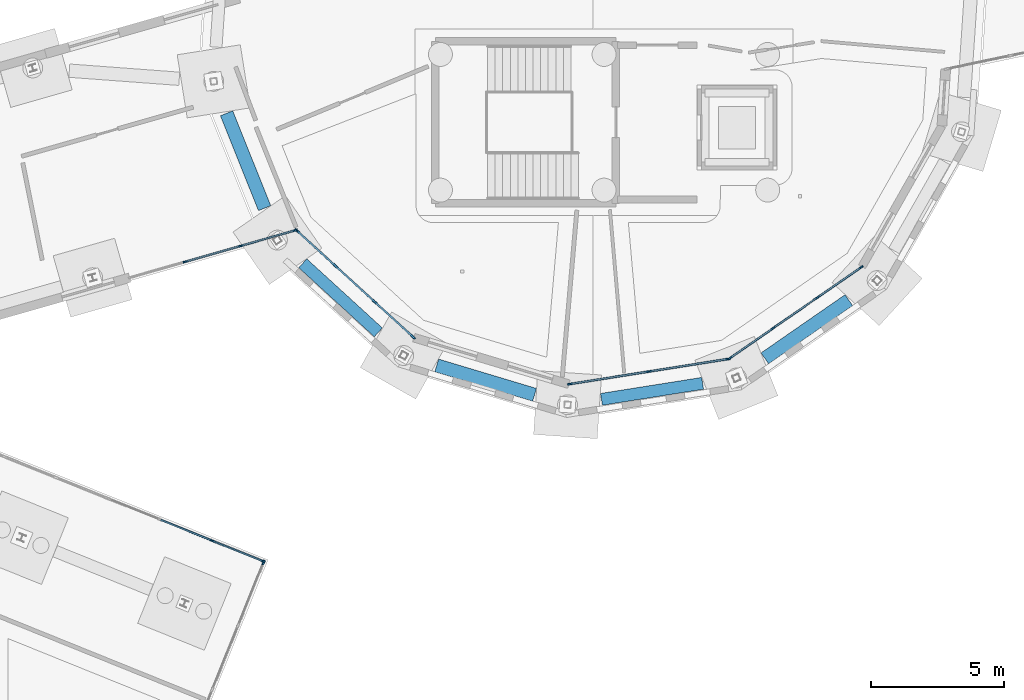
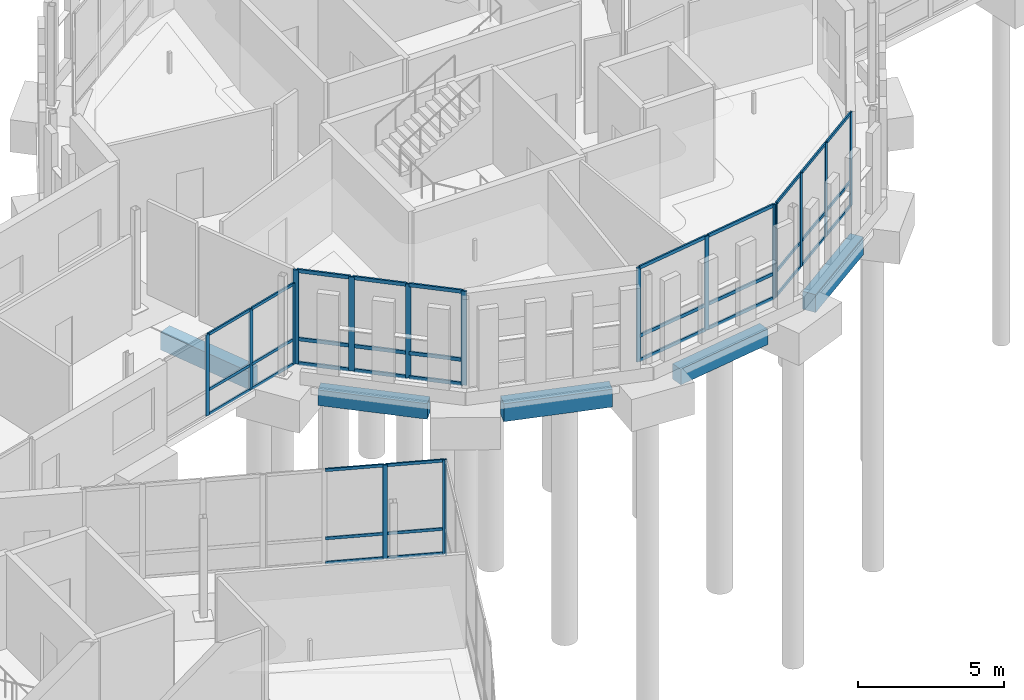
# One storey, part 46 of 113: 53 members, 5 beams, 6 elements without a shape of their own.
"""IFC4 building model written with IfcOpenShell, lengths in metres."""

from ifc_helpers import new_model, si_unit, direction, frame, origin, origin_2d, place, context, subcontext, project, spatial, rectangle, extrude, material, material_profile, profile_set, type_object, element, aggregate, save


model = new_model("IFC4")

# Units and contexts
model_context = context("Model", 3, precision=1e-05, world=origin(), true_north=direction((0.0, 1.0)))
body_context = subcontext(model_context, "Body", "Model", "MODEL_VIEW")
ifc_project = project(units=[si_unit("LENGTHUNIT", "METRE"), si_unit("AREAUNIT", "SQUARE_METRE"), si_unit("VOLUMEUNIT", "CUBIC_METRE"), si_unit("PLANEANGLEUNIT", "RADIAN"), si_unit("MASSUNIT", "GRAM", prefix="KILO")], contexts=[model_context])

# Site, building, storey
site_placement = place(None, origin())
site = spatial("IfcSite", under=ifc_project, at=site_placement, CompositionType="ELEMENT")
building_placement = place(site_placement, origin())
building = spatial("IfcBuilding", under=site, at=building_placement, Name="Wrenclough Park School", CompositionType="ELEMENT")
storey_placement = place(building_placement, origin())
storey = spatial("IfcBuildingStorey", under=building, at=storey_placement, Name="L00", CompositionType="ELEMENT", Elevation=0.0)

# Curtain wall, members
ifc_material_1 = material(Name="Thermally broken aluminium and low-e glass curtain wall", Category="aluminium")
curtain_wall_type_1 = type_object("IfcCurtainWallType", Name="ENV-CW-03", PredefinedType="USERDEFINED", material=ifc_material_1)
curtain_wall_1_placement = place(storey_placement, origin())
curtain_wall_1 = element("IfcCurtainWall", 1, at=curtain_wall_1_placement, inside=storey, type_object=curtain_wall_type_1, Name="L00 recessed curtain wall assembly 066", ObjectType="CURTAIN WALL", PredefinedType="USERDEFINED")
ifc_material_2 = material(Name="Thermally broken anodised aluminium", Category="aluminium")
ifc_material_profile_1 = material_profile(ifc_material_2, rectangle(XDim=0.06005859375, YDim=0.159912109375, at=origin_2d()), Name="AL MULLION 60x160")
ifc_profile_set_1 = profile_set([ifc_material_profile_1], Name="Thermally broken anodised aluminium")
member_type_1 = type_object("IfcMemberType", Name="ENV-CWM-1", PredefinedType="MULLION", material=ifc_profile_set_1)
member_1_placement = place(storey_placement, frame((93.067138671875, 99.2529296875, 0.0), z_axis=(0.0, 0.0, 1.0), x_axis=(0.569486266638, -0.822000846783, 0.0)))
member_1 = element("IfcMember", 2, at=member_1_placement, type_object=member_type_1, Name="CW-03 mullion 1", PredefinedType="MULLION", context=body_context, shape_type="SweptSolid", body=[
    extrude(rectangle(XDim=0.06005859375, YDim=0.159912109375, at=origin_2d()), origin(), (0.0, 0.0, 1.0), 3.93994140625),
])
member_2_placement = place(storey_placement, frame((91.42626953125, 98.1162109375, 0.0), z_axis=(0.0, 0.0, 1.0), x_axis=(0.569486266638, -0.822000846783, 0.0)))
member_2 = element("IfcMember", 3, at=member_2_placement, type_object=member_type_1, Name="CW-03 mullion 2", PredefinedType="MULLION", context=body_context, shape_type="SweptSolid", body=[
    extrude(rectangle(XDim=0.06005859375, YDim=0.159912109375, at=origin_2d()), origin(), (0.0, 0.0, 1.0), 3.93994140625),
])
member_3_placement = place(storey_placement, frame((89.7607421875, 96.96240234375, 0.0), z_axis=(0.0, 0.0, 1.0), x_axis=(0.569486266638, -0.822000846783, 0.0)))
member_3 = element("IfcMember", 4, at=member_3_placement, type_object=member_type_1, Name="CW-03 mullion 3", PredefinedType="MULLION", context=body_context, shape_type="SweptSolid", body=[
    extrude(rectangle(XDim=0.06005859375, YDim=0.159912109375, at=origin_2d()), origin(), (0.0, 0.0, 1.0), 3.93994140625),
])
member_4_placement = place(storey_placement, frame((88.119873046875, 95.82568359375, 0.0), z_axis=(0.0, 0.0, 1.0), x_axis=(0.569486266638, -0.822000846783, 0.0)))
member_4 = element("IfcMember", 5, at=member_4_placement, type_object=member_type_1, Name="CW-03 mullion 4", PredefinedType="MULLION", context=body_context, shape_type="SweptSolid", body=[
    extrude(rectangle(XDim=0.06005859375, YDim=0.159912109375, at=origin_2d()), origin(), (0.0, 0.0, 1.0), 3.93994140625),
])

curtain_wall_type_2 = type_object("IfcCurtainWallType", Name="ENV-CW-06", PredefinedType="USERDEFINED", material=ifc_material_1)
curtain_wall_2_placement = place(storey_placement, origin())
curtain_wall_2 = element("IfcCurtainWall", 6, at=curtain_wall_2_placement, inside=storey, type_object=curtain_wall_type_2, Name="L00 recessed curtain wall assembly 069", ObjectType="CURTAIN WALL", PredefinedType="USERDEFINED")
member_5_placement = place(storey_placement, frame((71.793701171875, 100.638916015625, 0.0), z_axis=(0.0, 0.0, 1.0), x_axis=(0.274723159598, -0.961523367152, 0.0)))
member_5 = element("IfcMember", 7, at=member_5_placement, type_object=member_type_1, Name="CW-06 mullion 1", PredefinedType="MULLION", context=body_context, shape_type="SweptSolid", body=[
    extrude(rectangle(XDim=0.06005859375, YDim=0.159912109375, at=origin_2d()), origin(), (0.0, 0.0, 1.0), 3.39892578125),
])
member_6_placement = place(storey_placement, frame((69.739013671875, 100.052001953125, 0.0), z_axis=(0.0, 0.0, 1.0), x_axis=(0.274723159598, -0.961523367152, 0.0)))
member_6 = element("IfcMember", 8, at=member_6_placement, type_object=member_type_1, Name="CW-06 mullion 2", PredefinedType="MULLION", context=body_context, shape_type="SweptSolid", body=[
    extrude(rectangle(XDim=0.06005859375, YDim=0.159912109375, at=origin_2d()), origin(), (0.0, 0.0, 1.0), 3.39892578125),
])
member_7_placement = place(storey_placement, frame((67.655517578125, 99.45654296875, 0.0), z_axis=(0.0, 0.0, 1.0), x_axis=(0.274723159598, -0.961523367152, 0.0)))
member_7 = element("IfcMember", 9, at=member_7_placement, type_object=member_type_1, Name="CW-06 mullion 3", PredefinedType="MULLION", context=body_context, shape_type="SweptSolid", body=[
    extrude(rectangle(XDim=0.06005859375, YDim=0.159912109375, at=origin_2d()), origin(), (0.0, 0.0, 1.0), 3.39892578125),
])

curtain_wall_type_3 = type_object("IfcCurtainWallType", Name="ENV-CW-09", PredefinedType="USERDEFINED", material=ifc_material_1)
curtain_wall_3_placement = place(storey_placement, origin())
curtain_wall_3 = element("IfcCurtainWall", 10, at=curtain_wall_3_placement, inside=storey, type_object=curtain_wall_type_3, Name="L00 recessed curtain wall assembly 072", ObjectType="CURTAIN WALL", PredefinedType="USERDEFINED")
member_8_placement = place(storey_placement, frame((68.662109375, 88.977294921875, 0.0), z_axis=(0.0, 0.0, 1.0), x_axis=(0.3746064653, 0.927183906329, 0.0)))
member_8 = element("IfcMember", 11, at=member_8_placement, type_object=member_type_1, Name="CW-09 mullion 3", PredefinedType="MULLION", context=body_context, shape_type="SweptSolid", body=[
    extrude(rectangle(XDim=0.06005859375, YDim=0.159912109375, at=origin_2d()), origin(), (0.0, 0.0, 1.0), 3.93994140625),
])
member_9_placement = place(storey_placement, frame((70.583251953125, 88.200927734375, 0.0), z_axis=(0.0, 0.0, 1.0), x_axis=(0.3746064653, 0.927183906329, 0.0)))
member_9 = element("IfcMember", 12, at=member_9_placement, type_object=member_type_1, Name="CW-09 mullion 4", PredefinedType="MULLION", context=body_context, shape_type="SweptSolid", body=[
    extrude(rectangle(XDim=0.06005859375, YDim=0.159912109375, at=origin_2d()), origin(), (0.0, 0.0, 1.0), 3.93994140625),
])

curtain_wall_type_4 = type_object("IfcCurtainWallType", Name="ENV-CW-04", PredefinedType="USERDEFINED", material=ifc_material_1)
curtain_wall_4_placement = place(storey_placement, origin())
curtain_wall_4 = element("IfcCurtainWall", 13, at=curtain_wall_4_placement, inside=storey, type_object=curtain_wall_type_4, Name="L00 recessed curtain wall assembly 067", ObjectType="CURTAIN WALL", PredefinedType="USERDEFINED")
ifc_material_profile_2 = material_profile(ifc_material_2, rectangle(XDim=0.06494140625, YDim=0.179931640625, at=origin_2d()), Name="AL MULLION 65x180")
ifc_profile_set_2 = profile_set([ifc_material_profile_2], Name="Thermally broken anodised aluminium")
member_type_2 = type_object("IfcMemberType", Name="ENV-CWM-2", PredefinedType="MULLION", material=ifc_profile_set_2)
member_10_placement = place(storey_placement, frame((88.055908203125, 95.800537109375, 0.0), z_axis=(0.0, 0.0, 1.0), x_axis=(0.156425475408, -0.987689764371, 0.0)))
member_10 = element("IfcMember", 14, at=member_10_placement, type_object=member_type_2, Name="CW-04 mullion 1", PredefinedType="MULLION", context=body_context, shape_type="SweptSolid", body=[
    extrude(rectangle(XDim=0.06494140625, YDim=0.179931640625, at=origin_2d()), origin(), (0.0, 0.0, 1.0), 3.93994140625),
])
member_11_placement = place(storey_placement, frame((85.0859375, 95.330078125, 0.0), z_axis=(0.0, 0.0, 1.0), x_axis=(0.156425475408, -0.987689764371, 0.0)))
member_11 = element("IfcMember", 15, at=member_11_placement, type_object=member_type_2, Name="CW-04 mullion 2", PredefinedType="MULLION", context=body_context, shape_type="SweptSolid", body=[
    extrude(rectangle(XDim=0.06494140625, YDim=0.179931640625, at=origin_2d()), origin(), (0.0, 0.0, 1.0), 3.93994140625),
])
member_12_placement = place(storey_placement, frame((82.115966796875, 94.85986328125, 0.0), z_axis=(0.0, 0.0, 1.0), x_axis=(0.156425475408, -0.987689764371, 0.0)))
member_12 = element("IfcMember", 16, at=member_12_placement, type_object=member_type_2, Name="CW-04 mullion 3", PredefinedType="MULLION", context=body_context, shape_type="SweptSolid", body=[
    extrude(rectangle(XDim=0.06494140625, YDim=0.179931640625, at=origin_2d()), origin(), (0.0, 0.0, 1.0), 3.93994140625),
])

# Curtain wall, member
curtain_wall_type_5 = type_object("IfcCurtainWallType", Name="ENV-CW-10", PredefinedType="USERDEFINED", material=ifc_material_1)
curtain_wall_5_placement = place(storey_placement, origin())
curtain_wall_5 = element("IfcCurtainWall", 17, at=curtain_wall_5_placement, inside=storey, type_object=curtain_wall_type_5, Name="L00 recessed curtain wall assembly 073", ObjectType="CURTAIN WALL", PredefinedType="USERDEFINED")
member_13_placement = place(storey_placement, frame((70.60107421875, 88.154541015625, 0.0), z_axis=(0.0, 0.0, 1.0), x_axis=(0.92719070923, -0.374589627082, 0.0)))
member_13 = element("IfcMember", 18, at=member_13_placement, type_object=member_type_2, Name="CW-10 mullion 1", PredefinedType="MULLION", context=body_context, shape_type="SweptSolid", body=[
    extrude(rectangle(XDim=0.06494140625, YDim=0.179931640625, at=origin_2d()), origin(), (0.0, 0.0, 1.0), 3.93994140625),
])
aggregate(curtain_wall_5, [member_13])

# Curtain wall, members
curtain_wall_type_6 = type_object("IfcCurtainWallType", Name="ENV-CW-05", PredefinedType="USERDEFINED", material=ifc_material_1)
curtain_wall_6_placement = place(storey_placement, origin())
curtain_wall_6 = element("IfcCurtainWall", 19, at=curtain_wall_6_placement, inside=storey, type_object=curtain_wall_type_6, Name="L00 recessed curtain wall assembly 068", ObjectType="CURTAIN WALL", PredefinedType="USERDEFINED")
ifc_material_profile_3 = material_profile(ifc_material_2, rectangle(XDim=0.070068359375, YDim=0.199951171875, at=origin_2d()), Name="AL MULLION 70x200")
ifc_profile_set_3 = profile_set([ifc_material_profile_3], Name="Thermally broken anodised aluminium")
member_type_3 = type_object("IfcMemberType", Name="ENV-CWM-3", PredefinedType="MULLION", material=ifc_profile_set_3)
member_14_placement = place(storey_placement, frame((76.2216796875, 96.630859375, 0.0), z_axis=(0.0, 0.0, 1.0), x_axis=(-0.67466857393, -0.738120799972, 0.0)))
member_14 = element("IfcMember", 20, at=member_14_placement, type_object=member_type_3, Name="CW-05 mullion 1", PredefinedType="MULLION", context=body_context, shape_type="SweptSolid", body=[
    extrude(rectangle(XDim=0.070068359375, YDim=0.199951171875, at=origin_2d()), origin(), (0.0, 0.0, 1.0), 3.93994140625),
])
member_15_placement = place(storey_placement, frame((74.77490234375, 97.953369140625, 0.0), z_axis=(0.0, 0.0, 1.0), x_axis=(-0.67466857393, -0.738120799972, 0.0)))
member_15 = element("IfcMember", 21, at=member_15_placement, type_object=member_type_3, Name="CW-05 mullion 2", PredefinedType="MULLION", context=body_context, shape_type="SweptSolid", body=[
    extrude(rectangle(XDim=0.070068359375, YDim=0.199951171875, at=origin_2d()), origin(), (0.0, 0.0, 1.0), 3.93994140625),
])
member_16_placement = place(storey_placement, frame((73.302001953125, 99.299560546875, 0.0), z_axis=(0.0, 0.0, 1.0), x_axis=(-0.67466857393, -0.738120799972, 0.0)))
member_16 = element("IfcMember", 22, at=member_16_placement, type_object=member_type_3, Name="CW-05 mullion 3", PredefinedType="MULLION", context=body_context, shape_type="SweptSolid", body=[
    extrude(rectangle(XDim=0.070068359375, YDim=0.199951171875, at=origin_2d()), origin(), (0.0, 0.0, 1.0), 3.93994140625),
])
member_17_placement = place(storey_placement, frame((71.855224609375, 100.6220703125, 0.0), z_axis=(0.0, 0.0, 1.0), x_axis=(-0.67466857393, -0.738120799972, 0.0)))
member_17 = element("IfcMember", 23, at=member_17_placement, type_object=member_type_3, Name="CW-05 mullion 4", PredefinedType="MULLION", context=body_context, shape_type="SweptSolid", body=[
    extrude(rectangle(XDim=0.070068359375, YDim=0.199951171875, at=origin_2d()), origin(), (0.0, 0.0, 1.0), 3.93994140625),
])

# Member
ifc_material_profile_4 = material_profile(ifc_material_2, rectangle(XDim=0.06005859375, YDim=0.1201171875, at=origin_2d()), Name="AL TRANSOM 60x120")
ifc_profile_set_4 = profile_set([ifc_material_profile_4], Name="Thermally broken anodised aluminium")
member_type_4 = type_object("IfcMemberType", Name="ENV-CWT-1", PredefinedType="USERDEFINED", material=ifc_profile_set_4)
member_18_placement = place(storey_placement, frame((93.04248046875, 99.23583984375, 0.030029296875), z_axis=(-0.822024195084, -0.569452564044, 0.0), x_axis=(0.569452564044, -0.822024195084, 0.0)))
member_18 = element("IfcMember", 24, at=member_18_placement, type_object=member_type_4, Name="CW-03 transom 1.1", ObjectType="TRANSOM", PredefinedType="USERDEFINED", context=body_context, shape_type="SweptSolid", body=[
    extrude(rectangle(XDim=0.06005859375, YDim=0.1201171875, at=origin_2d()), origin(), (0.0, 0.0, 1.0), 1.93603515625),
])

member_19_placement = place(storey_placement, frame((93.04248046875, 99.23583984375, 1.050048828125), z_axis=(-0.822024195084, -0.569452564044, 0.0), x_axis=(0.569452564044, -0.822024195084, 0.0)))
member_19 = element("IfcMember", 25, at=member_19_placement, type_object=member_type_4, Name="CW-03 transom 1.2", ObjectType="TRANSOM", PredefinedType="USERDEFINED", context=body_context, shape_type="SweptSolid", body=[
    extrude(rectangle(XDim=0.06005859375, YDim=0.1201171875, at=origin_2d()), origin(), (0.0, 0.0, 1.0), 1.93603515625),
])

member_20_placement = place(storey_placement, frame((93.04248046875, 99.23583984375, 3.909912109375), z_axis=(-0.822024195084, -0.569452564044, 0.0), x_axis=(0.569452564044, -0.822024195084, 0.0)))
member_20 = element("IfcMember", 26, at=member_20_placement, type_object=member_type_4, Name="CW-03 transom 1.3", ObjectType="TRANSOM", PredefinedType="USERDEFINED", context=body_context, shape_type="SweptSolid", body=[
    extrude(rectangle(XDim=0.06005859375, YDim=0.1201171875, at=origin_2d()), origin(), (0.0, 0.0, 1.0), 1.93603515625),
])

member_21_placement = place(storey_placement, frame((91.401611328125, 98.09912109375, 0.030029296875), z_axis=(-0.822022286982, -0.569455318444, 0.0), x_axis=(0.569455318444, -0.822022286982, 0.0)))
member_21 = element("IfcMember", 27, at=member_21_placement, type_object=member_type_4, Name="CW-03 transom 2.1", ObjectType="TRANSOM", PredefinedType="USERDEFINED", context=body_context, shape_type="SweptSolid", body=[
    extrude(rectangle(XDim=0.06005859375, YDim=0.1201171875, at=origin_2d()), origin(), (0.0, 0.0, 1.0), 1.966064453125),
])

member_22_placement = place(storey_placement, frame((91.401611328125, 98.09912109375, 1.050048828125), z_axis=(-0.822022286982, -0.569455318444, 0.0), x_axis=(0.569455318444, -0.822022286982, 0.0)))
member_22 = element("IfcMember", 28, at=member_22_placement, type_object=member_type_4, Name="CW-03 transom 2.2", ObjectType="TRANSOM", PredefinedType="USERDEFINED", context=body_context, shape_type="SweptSolid", body=[
    extrude(rectangle(XDim=0.06005859375, YDim=0.1201171875, at=origin_2d()), origin(), (0.0, 0.0, 1.0), 1.966064453125),
])

member_23_placement = place(storey_placement, frame((91.401611328125, 98.09912109375, 3.909912109375), z_axis=(-0.822022286982, -0.569455318444, 0.0), x_axis=(0.569455318444, -0.822022286982, 0.0)))
member_23 = element("IfcMember", 29, at=member_23_placement, type_object=member_type_4, Name="CW-03 transom 2.3", ObjectType="TRANSOM", PredefinedType="USERDEFINED", context=body_context, shape_type="SweptSolid", body=[
    extrude(rectangle(XDim=0.06005859375, YDim=0.1201171875, at=origin_2d()), origin(), (0.0, 0.0, 1.0), 1.966064453125),
])

member_24_placement = place(storey_placement, frame((89.736083984375, 96.9453125, 0.030029296875), z_axis=(-0.822024195084, -0.569452564044, 0.0), x_axis=(0.569452564044, -0.822024195084, 0.0)))
member_24 = element("IfcMember", 30, at=member_24_placement, type_object=member_type_4, Name="CW-03 transom 3.1", ObjectType="TRANSOM", PredefinedType="USERDEFINED", context=body_context, shape_type="SweptSolid", body=[
    extrude(rectangle(XDim=0.06005859375, YDim=0.1201171875, at=origin_2d()), origin(), (0.0, 0.0, 1.0), 1.93603515625),
])

member_25_placement = place(storey_placement, frame((89.736083984375, 96.9453125, 1.050048828125), z_axis=(-0.822024195084, -0.569452564044, 0.0), x_axis=(0.569452564044, -0.822024195084, 0.0)))
member_25 = element("IfcMember", 31, at=member_25_placement, type_object=member_type_4, Name="CW-03 transom 3.2", ObjectType="TRANSOM", PredefinedType="USERDEFINED", context=body_context, shape_type="SweptSolid", body=[
    extrude(rectangle(XDim=0.06005859375, YDim=0.1201171875, at=origin_2d()), origin(), (0.0, 0.0, 1.0), 1.93603515625),
])

member_26_placement = place(storey_placement, frame((89.736083984375, 96.9453125, 3.909912109375), z_axis=(-0.822024195084, -0.569452564044, 0.0), x_axis=(0.569452564044, -0.822024195084, 0.0)))
member_26 = element("IfcMember", 32, at=member_26_placement, type_object=member_type_4, Name="CW-03 transom 3.3", ObjectType="TRANSOM", PredefinedType="USERDEFINED", context=body_context, shape_type="SweptSolid", body=[
    extrude(rectangle(XDim=0.06005859375, YDim=0.1201171875, at=origin_2d()), origin(), (0.0, 0.0, 1.0), 1.93603515625),
])

aggregate(curtain_wall_1, [member_1, member_2, member_3, member_4, member_18, member_19, member_20, member_21, member_22, member_23, member_24, member_25, member_26])

member_27_placement = place(storey_placement, frame((71.764892578125, 100.630615234375, 0.030029296875), z_axis=(-0.961528383223, -0.274705602884, 0.0), x_axis=(0.274705602884, -0.961528383223, 0.0)))
member_27 = element("IfcMember", 33, at=member_27_placement, type_object=member_type_4, Name="CW-06 transom 1.1", ObjectType="TRANSOM", PredefinedType="USERDEFINED", context=body_context, shape_type="SweptSolid", body=[
    extrude(rectangle(XDim=0.06005859375, YDim=0.1201171875, at=origin_2d()), origin(), (0.0, 0.0, 1.0), 2.076904296875),
])

member_28_placement = place(storey_placement, frame((71.764892578125, 100.630615234375, 1.050048828125), z_axis=(-0.961528383223, -0.274705602884, 0.0), x_axis=(0.274705602884, -0.961528383223, 0.0)))
member_28 = element("IfcMember", 34, at=member_28_placement, type_object=member_type_4, Name="CW-06 transom 1.2", ObjectType="TRANSOM", PredefinedType="USERDEFINED", context=body_context, shape_type="SweptSolid", body=[
    extrude(rectangle(XDim=0.06005859375, YDim=0.1201171875, at=origin_2d()), origin(), (0.0, 0.0, 1.0), 2.076904296875),
])

member_29_placement = place(storey_placement, frame((71.764892578125, 100.630615234375, 3.368896484375), z_axis=(-0.961528383223, -0.274705602884, 0.0), x_axis=(0.274705602884, -0.961528383223, 0.0)))
member_29 = element("IfcMember", 35, at=member_29_placement, type_object=member_type_4, Name="CW-06 transom 1.3", ObjectType="TRANSOM", PredefinedType="USERDEFINED", context=body_context, shape_type="SweptSolid", body=[
    extrude(rectangle(XDim=0.06005859375, YDim=0.1201171875, at=origin_2d()), origin(), (0.0, 0.0, 1.0), 2.076904296875),
])

member_30_placement = place(storey_placement, frame((69.710205078125, 100.043701171875, 0.030029296875), z_axis=(-0.961519574928, -0.27473643193, 0.0), x_axis=(0.27473643193, -0.961519574928, 0.0)))
member_30 = element("IfcMember", 36, at=member_30_placement, type_object=member_type_4, Name="CW-06 transom 2.1", ObjectType="TRANSOM", PredefinedType="USERDEFINED", context=body_context, shape_type="SweptSolid", body=[
    extrude(rectangle(XDim=0.06005859375, YDim=0.1201171875, at=origin_2d()), origin(), (0.0, 0.0, 1.0), 2.10693359375),
])

member_31_placement = place(storey_placement, frame((69.710205078125, 100.043701171875, 1.050048828125), z_axis=(-0.961519574928, -0.27473643193, 0.0), x_axis=(0.27473643193, -0.961519574928, 0.0)))
member_31 = element("IfcMember", 37, at=member_31_placement, type_object=member_type_4, Name="CW-06 transom 2.2", ObjectType="TRANSOM", PredefinedType="USERDEFINED", context=body_context, shape_type="SweptSolid", body=[
    extrude(rectangle(XDim=0.06005859375, YDim=0.1201171875, at=origin_2d()), origin(), (0.0, 0.0, 1.0), 2.10693359375),
])

member_32_placement = place(storey_placement, frame((69.710205078125, 100.043701171875, 3.368896484375), z_axis=(-0.961519574928, -0.27473643193, 0.0), x_axis=(0.27473643193, -0.961519574928, 0.0)))
member_32 = element("IfcMember", 38, at=member_32_placement, type_object=member_type_4, Name="CW-06 transom 2.3", ObjectType="TRANSOM", PredefinedType="USERDEFINED", context=body_context, shape_type="SweptSolid", body=[
    extrude(rectangle(XDim=0.06005859375, YDim=0.1201171875, at=origin_2d()), origin(), (0.0, 0.0, 1.0), 2.10693359375),
])

aggregate(curtain_wall_2, [member_5, member_6, member_7, member_27, member_28, member_29, member_30, member_31, member_32])

member_33_placement = place(storey_placement, frame((66.740966796875, 89.75341796875, 0.030029296875), z_axis=(0.927193130621, -0.374583633557, 0.0), x_axis=(0.374583633557, 0.927193130621, 0.0)))
member_33 = element("IfcMember", 39, at=member_33_placement, type_object=member_type_4, Name="CW-09 transom 2.1", ObjectType="TRANSOM", PredefinedType="USERDEFINED", context=body_context, shape_type="SweptSolid", body=[
    extrude(rectangle(XDim=0.06005859375, YDim=0.1201171875, at=origin_2d()), origin(), (0.0, 0.0, 1.0), 2.0419921875),
])

member_34_placement = place(storey_placement, frame((66.740966796875, 89.75341796875, 1.050048828125), z_axis=(0.927193130621, -0.374583633557, 0.0), x_axis=(0.374583633557, 0.927193130621, 0.0)))
member_34 = element("IfcMember", 40, at=member_34_placement, type_object=member_type_4, Name="CW-09 transom 2.2", ObjectType="TRANSOM", PredefinedType="USERDEFINED", context=body_context, shape_type="SweptSolid", body=[
    extrude(rectangle(XDim=0.06005859375, YDim=0.1201171875, at=origin_2d()), origin(), (0.0, 0.0, 1.0), 2.0419921875),
])

member_35_placement = place(storey_placement, frame((66.740966796875, 89.75341796875, 3.909912109375), z_axis=(0.927193130621, -0.374583633557, 0.0), x_axis=(0.374583633557, 0.927193130621, 0.0)))
member_35 = element("IfcMember", 41, at=member_35_placement, type_object=member_type_4, Name="CW-09 transom 2.3", ObjectType="TRANSOM", PredefinedType="USERDEFINED", context=body_context, shape_type="SweptSolid", body=[
    extrude(rectangle(XDim=0.06005859375, YDim=0.1201171875, at=origin_2d()), origin(), (0.0, 0.0, 1.0), 2.0419921875),
])

member_36_placement = place(storey_placement, frame((68.68994140625, 88.966064453125, 0.030029296875), z_axis=(0.927148634209, -0.374693755063, 0.0), x_axis=(0.374693755063, 0.927148634209, 0.0)))
member_36 = element("IfcMember", 42, at=member_36_placement, type_object=member_type_4, Name="CW-09 transom 3.1", ObjectType="TRANSOM", PredefinedType="USERDEFINED", context=body_context, shape_type="SweptSolid", body=[
    extrude(rectangle(XDim=0.06005859375, YDim=0.1201171875, at=origin_2d()), origin(), (0.0, 0.0, 1.0), 2.011962890625),
])

member_37_placement = place(storey_placement, frame((68.68994140625, 88.966064453125, 1.050048828125), z_axis=(0.927148634209, -0.374693755063, 0.0), x_axis=(0.374693755063, 0.927148634209, 0.0)))
member_37 = element("IfcMember", 43, at=member_37_placement, type_object=member_type_4, Name="CW-09 transom 3.2", ObjectType="TRANSOM", PredefinedType="USERDEFINED", context=body_context, shape_type="SweptSolid", body=[
    extrude(rectangle(XDim=0.06005859375, YDim=0.1201171875, at=origin_2d()), origin(), (0.0, 0.0, 1.0), 2.011962890625),
])

member_38_placement = place(storey_placement, frame((68.68994140625, 88.966064453125, 3.909912109375), z_axis=(0.927148634209, -0.374693755063, 0.0), x_axis=(0.374693755063, 0.927148634209, 0.0)))
member_38 = element("IfcMember", 44, at=member_38_placement, type_object=member_type_4, Name="CW-09 transom 3.3", ObjectType="TRANSOM", PredefinedType="USERDEFINED", context=body_context, shape_type="SweptSolid", body=[
    extrude(rectangle(XDim=0.06005859375, YDim=0.1201171875, at=origin_2d()), origin(), (0.0, 0.0, 1.0), 2.011962890625),
])

aggregate(curtain_wall_3, [member_8, member_9, member_33, member_34, member_35, member_36, member_37, member_38])

ifc_material_profile_5 = material_profile(ifc_material_2, rectangle(XDim=0.06494140625, YDim=0.139892578125, at=origin_2d()), Name="AL TRANSOM 65x140")
ifc_profile_set_5 = profile_set([ifc_material_profile_5], Name="Thermally broken anodised aluminium")
member_type_5 = type_object("IfcMemberType", Name="ENV-CWT-2", PredefinedType="USERDEFINED", material=ifc_profile_set_5)
member_39_placement = place(storey_placement, frame((88.023681640625, 95.79541015625, 0.032470703125), z_axis=(-0.987687484318, -0.156439871266, 0.0), x_axis=(0.156439871266, -0.987687484318, 0.0)))
member_39 = element("IfcMember", 45, at=member_39_placement, type_object=member_type_5, Name="CW-04 transom 1.1", ObjectType="TRANSOM", PredefinedType="USERDEFINED", context=body_context, shape_type="SweptSolid", body=[
    extrude(rectangle(XDim=0.06494140625, YDim=0.139892578125, at=origin_2d()), origin(), (0.0, 0.0, 1.0), 2.941650390625),
])

member_40_placement = place(storey_placement, frame((88.023681640625, 95.79541015625, 1.050048828125), z_axis=(-0.987687484318, -0.156439871266, 0.0), x_axis=(0.156439871266, -0.987687484318, 0.0)))
member_40 = element("IfcMember", 46, at=member_40_placement, type_object=member_type_5, Name="CW-04 transom 1.2", ObjectType="TRANSOM", PredefinedType="USERDEFINED", context=body_context, shape_type="SweptSolid", body=[
    extrude(rectangle(XDim=0.06494140625, YDim=0.139892578125, at=origin_2d()), origin(), (0.0, 0.0, 1.0), 2.941650390625),
])

member_41_placement = place(storey_placement, frame((88.023681640625, 95.79541015625, 3.907470703125), z_axis=(-0.987687484318, -0.156439871266, 0.0), x_axis=(0.156439871266, -0.987687484318, 0.0)))
member_41 = element("IfcMember", 47, at=member_41_placement, type_object=member_type_5, Name="CW-04 transom 1.3", ObjectType="TRANSOM", PredefinedType="USERDEFINED", context=body_context, shape_type="SweptSolid", body=[
    extrude(rectangle(XDim=0.06494140625, YDim=0.139892578125, at=origin_2d()), origin(), (0.0, 0.0, 1.0), 2.941650390625),
])

member_42_placement = place(storey_placement, frame((85.053955078125, 95.324951171875, 0.032470703125), z_axis=(-0.987689515167, -0.156427048907, 0.0), x_axis=(0.156427048907, -0.987689515167, 0.0)))
member_42 = element("IfcMember", 48, at=member_42_placement, type_object=member_type_5, Name="CW-04 transom 2.1", ObjectType="TRANSOM", PredefinedType="USERDEFINED", context=body_context, shape_type="SweptSolid", body=[
    extrude(rectangle(XDim=0.06494140625, YDim=0.139892578125, at=origin_2d()), origin(), (0.0, 0.0, 1.0), 2.94189453125),
])

member_43_placement = place(storey_placement, frame((85.053955078125, 95.324951171875, 1.050048828125), z_axis=(-0.987689515167, -0.156427048907, 0.0), x_axis=(0.156427048907, -0.987689515167, 0.0)))
member_43 = element("IfcMember", 49, at=member_43_placement, type_object=member_type_5, Name="CW-04 transom 2.2", ObjectType="TRANSOM", PredefinedType="USERDEFINED", context=body_context, shape_type="SweptSolid", body=[
    extrude(rectangle(XDim=0.06494140625, YDim=0.139892578125, at=origin_2d()), origin(), (0.0, 0.0, 1.0), 2.94189453125),
])

member_44_placement = place(storey_placement, frame((85.053955078125, 95.324951171875, 3.907470703125), z_axis=(-0.987689515167, -0.156427048907, 0.0), x_axis=(0.156427048907, -0.987689515167, 0.0)))
member_44 = element("IfcMember", 50, at=member_44_placement, type_object=member_type_5, Name="CW-04 transom 2.3", ObjectType="TRANSOM", PredefinedType="USERDEFINED", context=body_context, shape_type="SweptSolid", body=[
    extrude(rectangle(XDim=0.06494140625, YDim=0.139892578125, at=origin_2d()), origin(), (0.0, 0.0, 1.0), 2.94189453125),
])

aggregate(curtain_wall_4, [member_10, member_11, member_12, member_39, member_40, member_41, member_42, member_43, member_44])

ifc_material_profile_6 = material_profile(ifc_material_2, rectangle(XDim=0.070068359375, YDim=0.14990234375, at=origin_2d()), Name="AL TRANSOM 70x150")
ifc_profile_set_6 = profile_set([ifc_material_profile_6], Name="Thermally broken anodised aluminium")
member_type_6 = type_object("IfcMemberType", Name="ENV-CWT-3", PredefinedType="USERDEFINED", material=ifc_profile_set_6)
member_45_placement = place(storey_placement, frame((76.19580078125, 96.654541015625, 0.034912109375), z_axis=(-0.738166631748, 0.67461842828, 0.0), x_axis=(-0.67461842828, -0.738166631748, 0.0)))
member_45 = element("IfcMember", 51, at=member_45_placement, type_object=member_type_6, Name="CW-05 transom 1.1", ObjectType="TRANSOM", PredefinedType="USERDEFINED", context=body_context, shape_type="SweptSolid", body=[
    extrude(rectangle(XDim=0.070068359375, YDim=0.14990234375, at=origin_2d()), origin(), (0.0, 0.0, 1.0), 1.89013671875),
])

member_46_placement = place(storey_placement, frame((76.19580078125, 96.654541015625, 1.050048828125), z_axis=(-0.738166631748, 0.67461842828, 0.0), x_axis=(-0.67461842828, -0.738166631748, 0.0)))
member_46 = element("IfcMember", 52, at=member_46_placement, type_object=member_type_6, Name="CW-05 transom 1.2", ObjectType="TRANSOM", PredefinedType="USERDEFINED", context=body_context, shape_type="SweptSolid", body=[
    extrude(rectangle(XDim=0.070068359375, YDim=0.14990234375, at=origin_2d()), origin(), (0.0, 0.0, 1.0), 1.89013671875),
])

member_47_placement = place(storey_placement, frame((76.19580078125, 96.654541015625, 3.905029296875), z_axis=(-0.738166631748, 0.67461842828, 0.0), x_axis=(-0.67461842828, -0.738166631748, 0.0)))
member_47 = element("IfcMember", 53, at=member_47_placement, type_object=member_type_6, Name="CW-05 transom 1.3", ObjectType="TRANSOM", PredefinedType="USERDEFINED", context=body_context, shape_type="SweptSolid", body=[
    extrude(rectangle(XDim=0.070068359375, YDim=0.14990234375, at=origin_2d()), origin(), (0.0, 0.0, 1.0), 1.89013671875),
])

member_48_placement = place(storey_placement, frame((74.7490234375, 97.97705078125, 0.034912109375), z_axis=(-0.738158709098, 0.674627097131, 0.0), x_axis=(-0.674627097131, -0.738158709098, 0.0)))
member_48 = element("IfcMember", 54, at=member_48_placement, type_object=member_type_6, Name="CW-05 transom 2.1", ObjectType="TRANSOM", PredefinedType="USERDEFINED", context=body_context, shape_type="SweptSolid", body=[
    extrude(rectangle(XDim=0.070068359375, YDim=0.14990234375, at=origin_2d()), origin(), (0.0, 0.0, 1.0), 1.92529296875),
])

member_49_placement = place(storey_placement, frame((74.7490234375, 97.97705078125, 1.050048828125), z_axis=(-0.738158709098, 0.674627097131, 0.0), x_axis=(-0.674627097131, -0.738158709098, 0.0)))
member_49 = element("IfcMember", 55, at=member_49_placement, type_object=member_type_6, Name="CW-05 transom 2.2", ObjectType="TRANSOM", PredefinedType="USERDEFINED", context=body_context, shape_type="SweptSolid", body=[
    extrude(rectangle(XDim=0.070068359375, YDim=0.14990234375, at=origin_2d()), origin(), (0.0, 0.0, 1.0), 1.92529296875),
])

member_50_placement = place(storey_placement, frame((74.7490234375, 97.97705078125, 3.905029296875), z_axis=(-0.738158709098, 0.674627097131, 0.0), x_axis=(-0.674627097131, -0.738158709098, 0.0)))
member_50 = element("IfcMember", 56, at=member_50_placement, type_object=member_type_6, Name="CW-05 transom 2.3", ObjectType="TRANSOM", PredefinedType="USERDEFINED", context=body_context, shape_type="SweptSolid", body=[
    extrude(rectangle(XDim=0.070068359375, YDim=0.14990234375, at=origin_2d()), origin(), (0.0, 0.0, 1.0), 1.92529296875),
])

member_51_placement = place(storey_placement, frame((73.2763671875, 99.322998046875, 0.034912109375), z_axis=(-0.738102313294, 0.674688798714, 0.0), x_axis=(-0.674688798714, -0.738102313294, 0.0)))
member_51 = element("IfcMember", 57, at=member_51_placement, type_object=member_type_6, Name="CW-05 transom 3.1", ObjectType="TRANSOM", PredefinedType="USERDEFINED", context=body_context, shape_type="SweptSolid", body=[
    extrude(rectangle(XDim=0.070068359375, YDim=0.14990234375, at=origin_2d()), origin(), (0.0, 0.0, 1.0), 1.890380859375),
])

member_52_placement = place(storey_placement, frame((73.2763671875, 99.322998046875, 1.050048828125), z_axis=(-0.738102313294, 0.674688798714, 0.0), x_axis=(-0.674688798714, -0.738102313294, 0.0)))
member_52 = element("IfcMember", 58, at=member_52_placement, type_object=member_type_6, Name="CW-05 transom 3.2", ObjectType="TRANSOM", PredefinedType="USERDEFINED", context=body_context, shape_type="SweptSolid", body=[
    extrude(rectangle(XDim=0.070068359375, YDim=0.14990234375, at=origin_2d()), origin(), (0.0, 0.0, 1.0), 1.890380859375),
])

member_53_placement = place(storey_placement, frame((73.2763671875, 99.322998046875, 3.905029296875), z_axis=(-0.738102313294, 0.674688798714, 0.0), x_axis=(-0.674688798714, -0.738102313294, 0.0)))
member_53 = element("IfcMember", 59, at=member_53_placement, type_object=member_type_6, Name="CW-05 transom 3.3", ObjectType="TRANSOM", PredefinedType="USERDEFINED", context=body_context, shape_type="SweptSolid", body=[
    extrude(rectangle(XDim=0.070068359375, YDim=0.14990234375, at=origin_2d()), origin(), (0.0, 0.0, 1.0), 1.890380859375),
])

aggregate(curtain_wall_6, [member_14, member_15, member_16, member_17, member_45, member_46, member_47, member_48, member_49, member_50, member_51, member_52, member_53])

# Beams
ifc_material_3 = material(Name="Concrete C35/45", Category="concrete")
ifc_material_profile_7 = material_profile(ifc_material_3, rectangle(XDim=0.449951171875, YDim=0.64990234375, at=origin_2d()), Name="RC GROUND 450x650")
ifc_profile_set_7 = profile_set([ifc_material_profile_7], Name="Concrete C35/45")
beam_type_1 = type_object("IfcBeamType", Name="STR-BM-GTB1", PredefinedType="USERDEFINED", material=ifc_profile_set_7)
for number, where, z_axis, x_axis, name in (
    (60, (72.0751953125, 99.39990234375, -0.625), (0.738082966123, -0.674709963703, 0.0), (0.674709963703, 0.738082966123, 0.0), "Reinforced concrete ground tie beam 083"),
    (61, (83.30322265625, 94.28466796875, -0.625), (0.987688788862, 0.156431634768, 0.0), (-0.156431634768, 0.987688788862, 0.0), "Reinforced concrete ground tie beam 085"),
):
    element("IfcBeam", number, at=place(storey_placement, frame(where, z_axis=z_axis, x_axis=x_axis)), inside=storey, type_object=beam_type_1, Name=name, ObjectType="GROUND TIE BEAM", PredefinedType="USERDEFINED", context=body_context, shape_type="SweptSolid", body=[
        extrude(rectangle(XDim=0.449951171875, YDim=0.64990234375, at=origin_2d()), origin(), (0.0, 0.0, 1.0), 3.8486328125),
    ])
ifc_material_profile_8 = material_profile(ifc_material_3, rectangle(XDim=0.5, YDim=0.75, at=origin_2d()), Name="RC GROUND 500x750")
ifc_profile_set_8 = profile_set([ifc_material_profile_8], Name="Concrete C35/45")
beam_type_2 = type_object("IfcBeamType", Name="STR-BM-GTB2", PredefinedType="USERDEFINED", material=ifc_profile_set_8)
for number, where, z_axis, x_axis, name in (
    (62, (69.2099609375, 105.03759765625, -0.675048828125), (0.372300135016, -0.928112390536, 0.0), (0.928112390536, 0.372300135016, 0.0), "Reinforced concrete ground tie beam 082"),
    (63, (77.109130859375, 95.559814453125, -0.675048828125), (0.957740516725, -0.287633625684, 0.0), (0.287633625684, 0.957740516725, 0.0), "Reinforced concrete ground tie beam 084"),
    (64, (89.444091796875, 95.826171875, -0.675048828125), (0.822011373783, 0.569471071584, 0.0), (-0.569471071584, 0.822011373783, 0.0), "Reinforced concrete ground tie beam 086"),
):
    element("IfcBeam", number, at=place(storey_placement, frame(where, z_axis=z_axis, x_axis=x_axis)), inside=storey, type_object=beam_type_2, Name=name, ObjectType="GROUND TIE BEAM", PredefinedType="USERDEFINED", context=body_context, shape_type="SweptSolid", body=[
        extrude(rectangle(XDim=0.5, YDim=0.75, at=origin_2d()), origin(), (0.0, 0.0, 1.0), 3.8408203125),
    ])

save(model, "model.ifc")
